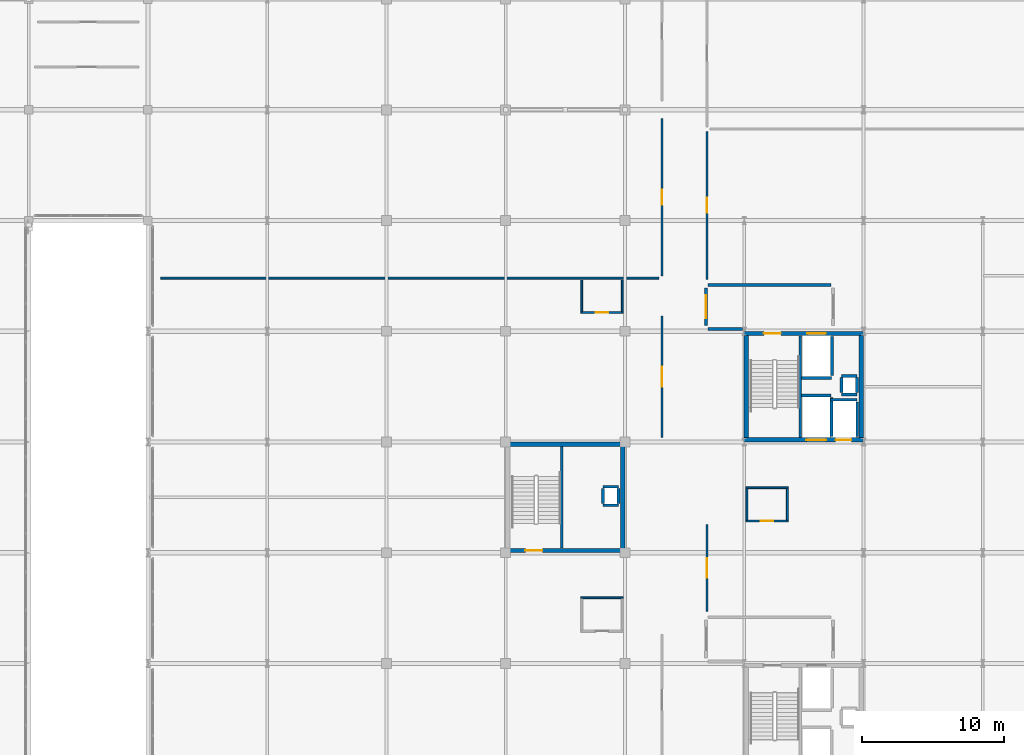
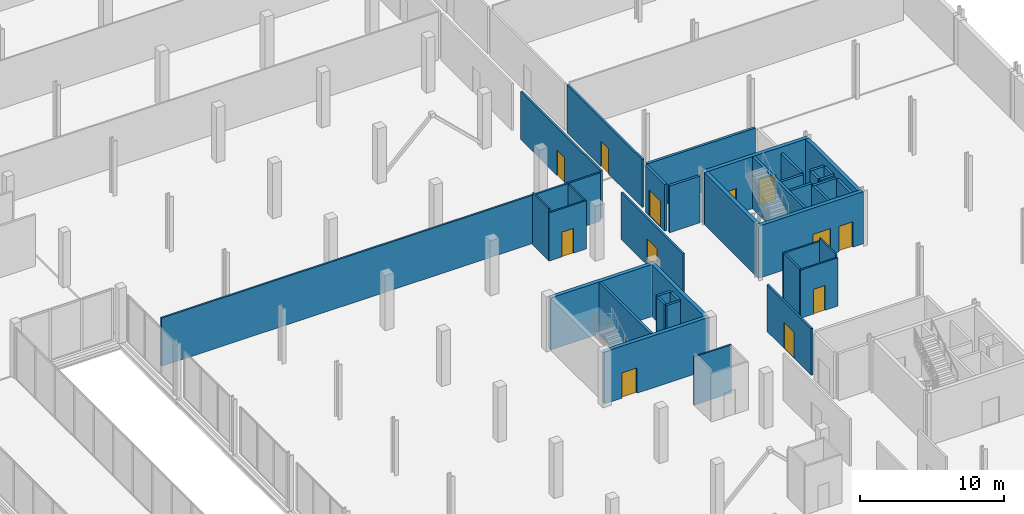
# One storey, part 75 of 98: 39 walls, 12 doors, 12 openings.
"""IFC4 building model written with IfcOpenShell, lengths in metres."""

from ifc_helpers import new_model, si_unit, direction, frame, frame_2d, origin, place, context, subcontext, project, spatial, rectangle, extrude, material, layer, layer_set, type_object, element, fill, save


model = new_model("IFC4")

# Units and contexts
model_context = context("Model", 3, precision=1e-05, world=origin(), true_north=direction((0.0, 1.0)))
body_context = subcontext(model_context, "Body", "Model", "MODEL_VIEW")
ifc_project = project(units=[si_unit("LENGTHUNIT", "METRE"), si_unit("AREAUNIT", "SQUARE_METRE"), si_unit("VOLUMEUNIT", "CUBIC_METRE"), si_unit("PLANEANGLEUNIT", "RADIAN"), si_unit("MASSUNIT", "GRAM", prefix="KILO")], contexts=[model_context])

# Site, building, storey
site_placement = place(None, origin())
site = spatial("IfcSite", under=ifc_project, at=site_placement, CompositionType="ELEMENT")
building_placement = place(site_placement, origin())
building = spatial("IfcBuilding", under=site, at=building_placement, Name="Nabrawat Pavilion Hospital", CompositionType="ELEMENT")
storey_placement = place(building_placement, frame((0.0, 0.0, 10.199951171875)))
storey = spatial("IfcBuildingStorey", under=building, at=storey_placement, Name="L02", CompositionType="ELEMENT", Elevation=10.199951171875)

# Wall, opening, door
ifc_material_1 = material(Name="Gypsum Fireboard on Steel Stud", Category="steel")
ifc_layer_1 = layer(ifc_material_1, 0.14990234375, Name="Gypsum Fireboard on Steel Stud")
ifc_layer_set_1 = layer_set([ifc_layer_1], Name="Gypsum Fireboard on Steel Stud")
wall_type_1 = type_object("IfcWallType", Name="Clinical Corridor Smoke-Barrier Wall 150", PredefinedType="PARTITIONING", material=ifc_layer_set_1)
wall_1_placement = place(storey_placement, frame((162.2099609375, 70.52001953125, 0.0), z_axis=(0.0, 0.0, 1.0), x_axis=(0.0, 1.0, 0.0)))
wall_1 = element("IfcWall", 1, at=wall_1_placement, inside=storey, type_object=wall_type_1, Name="L02 Inpatient Ward Barrier Isolation Bedroom L02-03 Front Partition", PredefinedType="PARTITIONING", context=body_context, shape_type="SweptSolid", body=[
    extrude(rectangle(XDim=8.56005859375, YDim=0.14990234375, at=frame_2d((4.280029296875, 0.0))), origin(), (0.0, 0.0, 1.0), 3.949951171875),
])
opening_1_placement = place(wall_1_placement, frame((3.580078125, 0.0, 0.0)))
opening_1 = element("IfcOpeningElement", 2, at=opening_1_placement, cuts=wall_1, Name="Opening D-BED", PredefinedType="OPENING", context=body_context, shape_type="SweptSolid", body=[
    extrude(rectangle(XDim=1.39990234375, YDim=2.199951171875, at=frame_2d((0.699951171875, 1.10009765625))), frame((0.0, 0.0849609375, 0.0), z_axis=(0.0, -1.0, 0.0), x_axis=(1.0, 0.0, 0.0)), (0.0, 0.0, 1.0), 0.169921875),
])
ifc_material_2 = material(Name="Stainless-Clad Acoustic Timber and Vision Glass", Category="wood")
door_type_1 = type_object("IfcDoorType", Name="D-BED Inpatient Ward Leaf-and-a-Half Door 1400x2200", OperationType="NOTDEFINED", PredefinedType="DOOR", material=ifc_material_2)
door_1_placement = place(opening_1_placement, origin())
door_1 = element("IfcDoor", 3, at=door_1_placement, inside=storey, type_object=door_type_1, Name="Inpatient Ward Barrier Isolation Bedroom L02-03 Door", OperationType="SINGLE_SWING_RIGHT", OverallHeight=2.199951171875, OverallWidth=1.39990234375, PredefinedType="DOOR", context=body_context, shape_type="SweptSolid", body=[
    extrude(rectangle(XDim=1.39990234375, YDim=2.199951171875, at=frame_2d((0.699951171875, 1.10009765625))), frame((0.0, 0.02490234375, 0.0), z_axis=(0.0, -1.0, 0.0), x_axis=(1.0, 0.0, 0.0)), (0.0, 0.0, 1.0), 0.050048828125),
])
fill(opening_1, door_1)

wall_2_placement = place(storey_placement, frame((162.2099609375, 81.909912109375, 0.0), z_axis=(0.0, 0.0, 1.0), x_axis=(0.0, 1.0, 0.0)))
wall_2 = element("IfcWall", 4, at=wall_2_placement, inside=storey, type_object=wall_type_1, Name="L02 Surgical Ward Nurse Station L02-04 Front Partition", PredefinedType="PARTITIONING", context=body_context, shape_type="SweptSolid", body=[
    extrude(rectangle(XDim=11.070068359375, YDim=0.14990234375, at=frame_2d((5.53515625, 0.0))), origin(), (0.0, 0.0, 1.0), 4.050048828125),
])
opening_2_placement = place(wall_2_placement, frame((5.010009765625, 0.0, 0.0)))
opening_2 = element("IfcOpeningElement", 5, at=opening_2_placement, cuts=wall_2, Name="Opening D-OPC-L", PredefinedType="OPENING", context=body_context, shape_type="SweptSolid", body=[
    extrude(rectangle(XDim=1.050048828125, YDim=2.14990234375, at=frame_2d((0.52490234375, 1.074951171875))), frame((0.0, 0.0849609375, 0.0), z_axis=(0.0, -1.0, 0.0), x_axis=(1.0, 0.0, 0.0)), (0.0, 0.0, 1.0), 0.169921875),
])
door_type_2 = type_object("IfcDoorType", Name="Outpatient Clinic Consultation Door L 1050x2150", OperationType="NOTDEFINED", PredefinedType="DOOR", material=ifc_material_2)
door_2_placement = place(opening_2_placement, origin())
door_2 = element("IfcDoor", 6, at=door_2_placement, inside=storey, type_object=door_type_2, Name="Surgical Ward Nurse Station L02-04 Door", OperationType="SINGLE_SWING_RIGHT", OverallHeight=2.14990234375, OverallWidth=1.050048828125, PredefinedType="DOOR", context=body_context, shape_type="SweptSolid", body=[
    extrude(rectangle(XDim=1.050048828125, YDim=2.14990234375, at=frame_2d((0.52490234375, 1.074951171875))), frame((0.0, 0.02490234375, 0.0), z_axis=(0.0, -1.0, 0.0), x_axis=(1.0, 0.0, 0.0)), (0.0, 0.0, 1.0), 0.050048828125),
])
fill(opening_2, door_2)

wall_3_placement = place(storey_placement, frame((165.389892578125, 58.25, 0.0), z_axis=(0.0, 0.0, 1.0), x_axis=(0.0, 1.0, 0.0)))
wall_3 = element("IfcWall", 7, at=wall_3_placement, inside=storey, type_object=wall_type_1, Name="L02 Inpatient Ward Barrier Isolation Bedroom L02-09 Front Partition", PredefinedType="PARTITIONING", context=body_context, shape_type="SweptSolid", body=[
    extrude(rectangle(XDim=6.139892578125, YDim=0.14990234375, at=frame_2d((3.06982421875, 0.0))), origin(), (0.0, 0.0, 1.0), 3.949951171875),
])
opening_3_placement = place(wall_3_placement, frame((2.3701171875, 0.0, 0.0)))
opening_3 = element("IfcOpeningElement", 8, at=opening_3_placement, cuts=wall_3, Name="Opening D-BED", PredefinedType="OPENING", context=body_context, shape_type="SweptSolid", body=[
    extrude(rectangle(XDim=1.39990234375, YDim=2.199951171875, at=frame_2d((0.699951171875, 1.10009765625))), frame((0.0, 0.0849609375, 0.0), z_axis=(0.0, -1.0, 0.0), x_axis=(1.0, 0.0, 0.0)), (0.0, 0.0, 1.0), 0.169921875),
])
door_3_placement = place(opening_3_placement, origin())
door_3 = element("IfcDoor", 9, at=door_3_placement, inside=storey, type_object=door_type_1, Name="Inpatient Ward Barrier Isolation Bedroom L02-09 Door", OperationType="SINGLE_SWING_RIGHT", OverallHeight=2.199951171875, OverallWidth=1.39990234375, PredefinedType="DOOR", context=body_context, shape_type="SweptSolid", body=[
    extrude(rectangle(XDim=1.39990234375, YDim=2.199951171875, at=frame_2d((0.699951171875, 1.10009765625))), frame((0.0, 0.02490234375, 0.0), z_axis=(0.0, -1.0, 0.0), x_axis=(1.0, 0.0, 0.0)), (0.0, 0.0, 1.0), 0.050048828125),
])
fill(opening_3, door_3)

wall_4_placement = place(storey_placement, frame((165.389892578125, 81.64990234375, 0.0), z_axis=(0.0, 0.0, 1.0), x_axis=(0.0, 1.0, 0.0)))
wall_4 = element("IfcWall", 10, at=wall_4_placement, inside=storey, type_object=wall_type_1, Name="L02 Surgical Ward Nurse Station L02-10 Front Partition", PredefinedType="PARTITIONING", context=body_context, shape_type="SweptSolid", body=[
    extrude(rectangle(XDim=10.4326171875, YDim=0.14990234375, at=frame_2d((5.21630859375, 0.0))), origin(), (0.0, 0.0, 1.0), 4.050048828125),
])
opening_4_placement = place(wall_4_placement, frame((4.69140625, 0.0, 0.0)))
opening_4 = element("IfcOpeningElement", 11, at=opening_4_placement, cuts=wall_4, Name="Opening D-OPC-L", PredefinedType="OPENING", context=body_context, shape_type="SweptSolid", body=[
    extrude(rectangle(XDim=1.050048828125, YDim=2.14990234375, at=frame_2d((0.52490234375, 1.074951171875))), frame((0.0, 0.0849609375, 0.0), z_axis=(0.0, -1.0, 0.0), x_axis=(1.0, 0.0, 0.0)), (0.0, 0.0, 1.0), 0.169921875),
])
door_4_placement = place(opening_4_placement, origin())
door_4 = element("IfcDoor", 12, at=door_4_placement, inside=storey, type_object=door_type_2, Name="Surgical Ward Nurse Station L02-10 Door", OperationType="SINGLE_SWING_RIGHT", OverallHeight=2.14990234375, OverallWidth=1.050048828125, PredefinedType="DOOR", context=body_context, shape_type="SweptSolid", body=[
    extrude(rectangle(XDim=1.050048828125, YDim=2.14990234375, at=frame_2d((0.52490234375, 1.074951171875))), frame((0.0, 0.02490234375, 0.0), z_axis=(0.0, -1.0, 0.0), x_axis=(1.0, 0.0, 0.0)), (0.0, 0.0, 1.0), 0.050048828125),
])
fill(opening_4, door_4)

# Wall
ifc_material_3 = material(Name="Cement Board on Steel Stud", Category="steel")
ifc_layer_2 = layer(ifc_material_3, 0.1298828125, Name="Cement Board on Steel Stud")
ifc_layer_set_2 = layer_set([ifc_layer_2], Name="Cement Board on Steel Stud")
wall_type_2 = type_object("IfcWallType", Name="En-Suite Moisture-Resistant Partition 130", PredefinedType="PARTITIONING", material=ifc_layer_set_2)
wall_5_placement = place(storey_placement, frame((156.4951171875, 59.22998046875, 0.0), z_axis=(0.0, 0.0, 1.0), x_axis=(1.0, 0.0, 0.0)))
element("IfcWall", 13, at=wall_5_placement, inside=storey, type_object=wall_type_2, Name="L02 En-Suite Bathroom WRD-SR2-02 North Partition", PredefinedType="PARTITIONING", context=body_context, shape_type="SweptSolid", body=[
    extrude(rectangle(XDim=2.97998046875, YDim=0.1298828125, at=frame_2d((1.489990234375, 0.0))), origin(), (0.0, 0.0, 1.0), 4.080078125),
])

# Wall, opening, door
wall_6_placement = place(storey_placement, frame((156.4951171875, 79.320068359375, 0.0), z_axis=(0.0, 0.0, 1.0), x_axis=(1.0, 0.0, 0.0)))
wall_6 = element("IfcWall", 14, at=wall_6_placement, inside=storey, type_object=wall_type_2, Name="L02 En-Suite Bathroom WRD-ISO-03 Front Partition", PredefinedType="PARTITIONING", context=body_context, shape_type="SweptSolid", body=[
    extrude(rectangle(XDim=2.97998046875, YDim=0.1298828125, at=frame_2d((1.489990234375, 0.0))), origin(), (0.0, 0.0, 1.0), 4.080078125),
])
opening_5_placement = place(wall_6_placement, frame((1.0400390625, 0.0, 0.0)))
opening_5 = element("IfcOpeningElement", 15, at=opening_5_placement, cuts=wall_6, Name="Opening D-ENS-R", PredefinedType="OPENING", context=body_context, shape_type="SweptSolid", body=[
    extrude(rectangle(XDim=0.89990234375, YDim=2.10009765625, at=frame_2d((0.449951171875, 1.050048828125))), frame((0.0, 0.074951171875, 0.0), z_axis=(0.0, -1.0, 0.0), x_axis=(1.0, 0.0, 0.0)), (0.0, 0.0, 1.0), 0.14990234375),
])
door_type_3 = type_object("IfcDoorType", Name="En-Suite Bathroom Outward Door R 900x2100", OperationType="NOTDEFINED", PredefinedType="DOOR", material=ifc_material_2)
door_5_placement = place(opening_5_placement, origin())
door_5 = element("IfcDoor", 16, at=door_5_placement, inside=storey, type_object=door_type_3, Name="En-Suite Bathroom WRD-ISO-03 Door", OperationType="SINGLE_SWING_LEFT", OverallHeight=2.10009765625, OverallWidth=0.89990234375, PredefinedType="DOOR", context=body_context, shape_type="SweptSolid", body=[
    extrude(rectangle(XDim=0.89990234375, YDim=2.10009765625, at=frame_2d((0.449951171875, 1.050048828125))), frame((0.0, 0.02490234375, 0.0), z_axis=(0.0, -1.0, 0.0), x_axis=(1.0, 0.0, 0.0)), (0.0, 0.0, 1.0), 0.050048828125),
])
fill(opening_5, door_5)

# Walls
wall_7_placement = place(storey_placement, frame((156.56005859375, 79.385009765625, 0.0), z_axis=(0.0, 0.0, 1.0), x_axis=(0.0, 1.0, 0.0)))
element("IfcWall", 17, at=wall_7_placement, inside=storey, type_object=wall_type_2, Name="L02 En-Suite Bathroom WRD-ISO-03 West Partition", PredefinedType="PARTITIONING", context=body_context, shape_type="SweptSolid", body=[
    extrude(rectangle(XDim=2.219970703125, YDim=0.1298828125, at=frame_2d((1.10986328125, 0.0))), origin(), (0.0, 0.0, 1.0), 4.3701171875),
])
wall_8_placement = place(storey_placement, frame((159.409912109375, 79.385009765625, 0.0), z_axis=(0.0, 0.0, 1.0), x_axis=(0.0, 1.0, 0.0)))
element("IfcWall", 18, at=wall_8_placement, inside=storey, type_object=wall_type_2, Name="L02 En-Suite Bathroom WRD-ISO-03 East Partition", PredefinedType="PARTITIONING", context=body_context, shape_type="SweptSolid", body=[
    extrude(rectangle(XDim=2.219970703125, YDim=0.1298828125, at=frame_2d((1.10986328125, 0.0))), origin(), (0.0, 0.0, 1.0), 4.080078125),
])

# Wall, opening, door
wall_9_placement = place(storey_placement, frame((168.125, 64.6298828125, 0.0), z_axis=(0.0, 0.0, 1.0), x_axis=(1.0, 0.0, 0.0)))
wall_9 = element("IfcWall", 19, at=wall_9_placement, inside=storey, type_object=wall_type_2, Name="L02 En-Suite Bathroom WRD-ISO-09 Front Partition", PredefinedType="PARTITIONING", context=body_context, shape_type="SweptSolid", body=[
    extrude(rectangle(XDim=2.97998046875, YDim=0.1298828125, at=frame_2d((1.489990234375, 0.0))), origin(), (0.0, 0.0, 1.0), 4.080078125),
])
opening_6_placement = place(wall_9_placement, frame((1.0400390625, 0.0, 0.0)))
opening_6 = element("IfcOpeningElement", 20, at=opening_6_placement, cuts=wall_9, Name="Opening D-ENS-R", PredefinedType="OPENING", context=body_context, shape_type="SweptSolid", body=[
    extrude(rectangle(XDim=0.89990234375, YDim=2.10009765625, at=frame_2d((0.449951171875, 1.050048828125))), frame((0.0, 0.074951171875, 0.0), z_axis=(0.0, -1.0, 0.0), x_axis=(1.0, 0.0, 0.0)), (0.0, 0.0, 1.0), 0.14990234375),
])
door_6_placement = place(opening_6_placement, origin())
door_6 = element("IfcDoor", 21, at=door_6_placement, inside=storey, type_object=door_type_3, Name="En-Suite Bathroom WRD-ISO-09 Door", OperationType="SINGLE_SWING_LEFT", OverallHeight=2.10009765625, OverallWidth=0.89990234375, PredefinedType="DOOR", context=body_context, shape_type="SweptSolid", body=[
    extrude(rectangle(XDim=0.89990234375, YDim=2.10009765625, at=frame_2d((0.449951171875, 1.050048828125))), frame((0.0, 0.02490234375, 0.0), z_axis=(0.0, -1.0, 0.0), x_axis=(1.0, 0.0, 0.0)), (0.0, 0.0, 1.0), 0.050048828125),
])
fill(opening_6, door_6)

# Walls
wall_10_placement = place(storey_placement, frame((168.125, 66.97998046875, 0.0), z_axis=(0.0, 0.0, 1.0), x_axis=(1.0, 0.0, 0.0)))
element("IfcWall", 22, at=wall_10_placement, inside=storey, type_object=wall_type_2, Name="L02 En-Suite Bathroom WRD-ISO-09 North Partition", PredefinedType="PARTITIONING", context=body_context, shape_type="SweptSolid", body=[
    extrude(rectangle(XDim=2.97998046875, YDim=0.1298828125, at=frame_2d((1.489990234375, 0.0))), origin(), (0.0, 0.0, 1.0), 4.080078125),
])
wall_11_placement = place(storey_placement, frame((168.18994140625, 64.695068359375, 0.0), z_axis=(0.0, 0.0, 1.0), x_axis=(0.0, 1.0, 0.0)))
element("IfcWall", 23, at=wall_11_placement, inside=storey, type_object=wall_type_2, Name="L02 En-Suite Bathroom WRD-ISO-09 West Partition", PredefinedType="PARTITIONING", context=body_context, shape_type="SweptSolid", body=[
    extrude(rectangle(XDim=2.219970703125, YDim=0.1298828125, at=frame_2d((1.10986328125, 0.0))), origin(), (0.0, 0.0, 1.0), 4.080078125),
])
wall_12_placement = place(storey_placement, frame((171.0400390625, 64.695068359375, 0.0), z_axis=(0.0, 0.0, 1.0), x_axis=(0.0, 1.0, 0.0)))
element("IfcWall", 24, at=wall_12_placement, inside=storey, type_object=wall_type_2, Name="L02 En-Suite Bathroom WRD-ISO-09 East Partition", PredefinedType="PARTITIONING", context=body_context, shape_type="SweptSolid", body=[
    extrude(rectangle(XDim=2.219970703125, YDim=0.1298828125, at=frame_2d((1.10986328125, 0.0))), origin(), (0.0, 0.0, 1.0), 4.3701171875),
])
ifc_material_4 = material(Name="Concrete C35/45", Category="concrete")
ifc_layer_3 = layer(ifc_material_4, 0.199951171875, Name="Concrete C35/45")
ifc_layer_set_3 = layer_set([ifc_layer_3], Name="Concrete C35/45")
wall_type_3 = type_object("IfcWallType", Name="Firefighting Lobby Compartment Wall 200", PredefinedType="PARTITIONING", material=ifc_layer_set_3)
wall_13_placement = place(storey_placement, frame((165.43994140625, 78.14990234375, 0.0), z_axis=(0.0, 0.0, 1.0), x_axis=(1.0, 0.0, 0.0)))
element("IfcWall", 25, at=wall_13_placement, inside=storey, type_object=wall_type_3, Name="L02 CORE-6 Firefighting Lobby South Return Wall", PredefinedType="PARTITIONING", context=body_context, shape_type="SweptSolid", body=[
    extrude(rectangle(XDim=2.43994140625, YDim=0.199951171875, at=frame_2d((1.219970703125, 0.0))), origin(), (0.0, 0.0, 1.0), 3.949951171875),
])
wall_14_placement = place(storey_placement, frame((165.43994140625, 81.25, 0.0), z_axis=(0.0, 0.0, 1.0), x_axis=(1.0, 0.0, 0.0)))
element("IfcWall", 26, at=wall_14_placement, inside=storey, type_object=wall_type_3, Name="L02 CORE-6 Firefighting Lobby North Compartment Wall", PredefinedType="PARTITIONING", context=body_context, shape_type="SweptSolid", body=[
    extrude(rectangle(XDim=8.66015625, YDim=0.199951171875, at=frame_2d((4.330078125, 0.0))), origin(), (0.0, 0.0, 1.0), 3.949951171875),
])

# Wall, opening, door
wall_15_placement = place(storey_placement, frame((165.320068359375, 78.39990234375, 0.0), z_axis=(0.0, 0.0, 1.0), x_axis=(0.0, 1.0, 0.0)))
wall_15 = element("IfcWall", 27, at=wall_15_placement, inside=storey, type_object=wall_type_3, Name="L02 CORE-6 Firefighting Lobby West Compartment Wall", PredefinedType="PARTITIONING", context=body_context, shape_type="SweptSolid", body=[
    extrude(rectangle(XDim=2.650146484375, YDim=0.199951171875, at=frame_2d((1.3251953125, 0.0))), origin(), (0.0, 0.0, 1.0), 3.949951171875),
])
opening_7_placement = place(wall_15_placement, frame((0.52490234375, 0.0, 0.0)))
opening_7 = element("IfcOpeningElement", 28, at=opening_7_placement, cuts=wall_15, Name="Opening D-FFL", PredefinedType="OPENING", context=body_context, shape_type="SweptSolid", body=[
    extrude(rectangle(XDim=1.60009765625, YDim=2.199951171875, at=frame_2d((0.800048828125, 1.10009765625))), frame((0.0, 0.10986328125, 0.0), z_axis=(0.0, -1.0, 0.0), x_axis=(1.0, 0.0, 0.0)), (0.0, 0.0, 1.0), 0.219970703125),
])
door_type_4 = type_object("IfcDoorType", Name="D-FFL Firefighting Lobby Double Smoke Door 1600x2200", OperationType="NOTDEFINED", PredefinedType="DOOR", material=ifc_material_2)
door_7_placement = place(opening_7_placement, origin())
door_7 = element("IfcDoor", 29, at=door_7_placement, inside=storey, type_object=door_type_4, Name="L02 CORE-6 Firefighting Lobby West Smoke Door", OperationType="DOUBLE_DOOR_SINGLE_SWING", OverallHeight=2.199951171875, OverallWidth=1.60009765625, PredefinedType="DOOR", context=body_context, shape_type="SweptSolid", body=[
    extrude(rectangle(XDim=1.60009765625, YDim=2.199951171875, at=frame_2d((0.800048828125, 1.10009765625))), frame((0.0, 0.02490234375, 0.0), z_axis=(0.0, -1.0, 0.0), x_axis=(1.0, 0.0, 0.0)), (0.0, 0.0, 1.0), 0.050048828125),
])
fill(opening_7, door_7)

# Walls
ifc_material_5 = material(Name="Acoustic Gypsum on Steel Stud", Category="steel")
ifc_layer_4 = layer(ifc_material_5, 0.139892578125, Name="Acoustic Gypsum on Steel Stud")
ifc_layer_set_4 = layer_set([ifc_layer_4], Name="Acoustic Gypsum on Steel Stud")
wall_type_4 = type_object("IfcWallType", Name="Inpatient Ward Acoustic Partition 140", PredefinedType="PARTITIONING", material=ifc_layer_set_4)
wall_16_placement = place(storey_placement, frame((126.889892578125, 81.75, 0.0), z_axis=(0.0, 0.0, 1.0), x_axis=(1.0, 0.0, 0.0)))
element("IfcWall", 30, at=wall_16_placement, inside=storey, type_object=wall_type_4, Name="L02 Inpatient Ward Barrier Isolation Bedroom L02-03 Dividing Partition", PredefinedType="PARTITIONING", context=body_context, shape_type="SweptSolid", body=[
    extrude(rectangle(XDim=35.10009765625, YDim=0.139892578125, at=frame_2d((17.550048828125, 0.0))), origin(), (0.0, 0.0, 1.0), 4.080078125),
])
ifc_layer_5 = layer(ifc_material_4, 0.199951171875, Name="Concrete C35/45")
ifc_layer_set_5 = layer_set([ifc_layer_5], Name="Concrete C35/45")
wall_type_5 = type_object("IfcWallType", Name="Lift and Riser Fire Shaft Wall 200", PredefinedType="PARTITIONING", material=ifc_layer_set_5)
wall_17_placement = place(storey_placement, frame((171.949951171875, 70.52001953125, 0.0), z_axis=(0.0, 0.0, 1.0), x_axis=(0.0, 1.0, 0.0)))
element("IfcWall", 31, at=wall_17_placement, inside=storey, type_object=wall_type_5, Name="L02 CORE-6 Stair-Lift Dividing Shear Wall", PredefinedType="SHEAR", context=body_context, shape_type="SweptSolid", body=[
    extrude(rectangle(XDim=7.159912109375, YDim=0.199951171875, at=frame_2d((3.580078125, 0.0))), origin(), (0.0, 0.0, 1.0), 4.41015625),
])
for number, where, z_axis, x_axis, name in (
    (32, (174.85009765625, 73.550048828125, 0.0), (0.0, 0.0, 1.0), (1.0, 0.0, 0.0), "L02 CORE-6 MEP Riser Shaft Wall S"),
    (33, (174.85009765625, 74.85009765625, 0.0), (0.0, 0.0, 1.0), (1.0, 0.0, 0.0), "L02 CORE-6 MEP Riser Shaft Wall N"),
):
    element("IfcWall", number, at=place(storey_placement, frame(where, z_axis=z_axis, x_axis=x_axis)), inside=storey, type_object=wall_type_5, Name=name, PredefinedType="PARTITIONING", context=body_context, shape_type="SweptSolid", body=[
        extrude(rectangle(XDim=1.099853515625, YDim=0.199951171875, at=frame_2d((0.5498046875, 0.0))), origin(), (0.0, 0.0, 1.0), 3.949951171875),
    ])
for number, where, z_axis, x_axis, name in (
    (34, (174.85009765625, 73.669921875, 0.0), (0.0, 0.0, 1.0), (0.0, 1.0, 0.0), "L02 CORE-6 MEP Riser Shaft Wall W"),
    (35, (175.949951171875, 73.669921875, 0.0), (0.0, 0.0, 1.0), (0.0, 1.0, 0.0), "L02 CORE-6 MEP Riser Shaft Wall E"),
):
    element("IfcWall", number, at=place(storey_placement, frame(where, z_axis=z_axis, x_axis=x_axis)), inside=storey, type_object=wall_type_5, Name=name, PredefinedType="PARTITIONING", context=body_context, shape_type="SweptSolid", body=[
        extrude(rectangle(XDim=1.06005859375, YDim=0.199951171875, at=frame_2d((0.530029296875, 0.0))), origin(), (0.0, 0.0, 1.0), 3.949951171875),
    ])
wall_18_placement = place(storey_placement, frame((174.179931640625, 74.8798828125, 0.0), z_axis=(0.0, 0.0, 1.0), x_axis=(0.0, 1.0, 0.0)))
element("IfcWall", 36, at=wall_18_placement, inside=storey, type_object=wall_type_5, Name="L02 Lift LF-02 Shaft East Wall", PredefinedType="PARTITIONING", context=body_context, shape_type="SweptSolid", body=[
    extrude(rectangle(XDim=2.740234375, YDim=0.199951171875, at=frame_2d((1.3701171875, 0.0))), origin(), (0.0, 0.0, 1.0), 3.949951171875),
])
wall_19_placement = place(storey_placement, frame((172.050048828125, 74.719970703125, 0.0), z_axis=(0.0, 0.0, 1.0), x_axis=(1.0, 0.0, 0.0)))
element("IfcWall", 37, at=wall_19_placement, inside=storey, type_object=wall_type_5, Name="L02 Lift LF-02 Shaft Back Wall", PredefinedType="PARTITIONING", context=body_context, shape_type="SweptSolid", body=[
    extrude(rectangle(XDim=2.099853515625, YDim=0.199951171875, at=frame_2d((1.0498046875, 0.0))), origin(), (0.0, 0.0, 1.0), 3.949951171875),
])
wall_20_placement = place(storey_placement, frame((174.139892578125, 70.580078125, 0.0), z_axis=(0.0, 0.0, 1.0), x_axis=(0.0, 1.0, 0.0)))
element("IfcWall", 38, at=wall_20_placement, inside=storey, type_object=wall_type_5, Name="L02 Lift LB-04 Shaft East Wall", PredefinedType="PARTITIONING", context=body_context, shape_type="SweptSolid", body=[
    extrude(rectangle(XDim=2.739990234375, YDim=0.199951171875, at=frame_2d((1.3701171875, 0.0))), origin(), (0.0, 0.0, 1.0), 3.949951171875),
])
wall_21_placement = place(storey_placement, frame((172.050048828125, 73.47998046875, 0.0), z_axis=(0.0, 0.0, 1.0), x_axis=(1.0, 0.0, 0.0)))
element("IfcWall", 39, at=wall_21_placement, inside=storey, type_object=wall_type_5, Name="L02 Lift LB-04 Shaft Back Wall", PredefinedType="PARTITIONING", context=body_context, shape_type="SweptSolid", body=[
    extrude(rectangle(XDim=2.06005859375, YDim=0.199951171875, at=frame_2d((1.030029296875, 0.0))), origin(), (0.0, 0.0, 1.0), 3.949951171875),
])
wall_22_placement = place(storey_placement, frame((175.9599609375, 70.580078125, 0.0), z_axis=(0.0, 0.0, 1.0), x_axis=(0.0, 1.0, 0.0)))
element("IfcWall", 40, at=wall_22_placement, inside=storey, type_object=wall_type_5, Name="L02 Lift LS-02 Shaft East Wall", PredefinedType="PARTITIONING", context=body_context, shape_type="SweptSolid", body=[
    extrude(rectangle(XDim=2.43994140625, YDim=0.199951171875, at=frame_2d((1.219970703125, 0.0))), origin(), (0.0, 0.0, 1.0), 3.949951171875),
])
wall_23_placement = place(storey_placement, frame((174.070068359375, 73.179931640625, 0.0), z_axis=(0.0, 0.0, 1.0), x_axis=(1.0, 0.0, 0.0)))
element("IfcWall", 41, at=wall_23_placement, inside=storey, type_object=wall_type_5, Name="L02 Lift LS-02 Shaft Back Wall", PredefinedType="PARTITIONING", context=body_context, shape_type="SweptSolid", body=[
    extrude(rectangle(XDim=1.85986328125, YDim=0.199951171875, at=frame_2d((0.929931640625, 0.0))), origin(), (0.0, 0.0, 1.0), 3.949951171875),
])
wall_24_placement = place(storey_placement, frame((155.14990234375, 62.719970703125, 0.0), z_axis=(0.0, 0.0, 1.0), x_axis=(0.0, 1.0, 0.0)))
element("IfcWall", 42, at=wall_24_placement, inside=storey, type_object=wall_type_5, Name="L02 CORE-9 Stair-Lift Dividing Shear Wall", PredefinedType="SHEAR", context=body_context, shape_type="SweptSolid", body=[
    extrude(rectangle(XDim=7.159912109375, YDim=0.199951171875, at=frame_2d((3.580078125, 0.0))), origin(), (0.0, 0.0, 1.0), 4.41015625),
])
for number, where, z_axis, x_axis, name in (
    (43, (158.050048828125, 65.75, 0.0), (0.0, 0.0, 1.0), (1.0, 0.0, 0.0), "L02 CORE-9 MEP Riser Shaft Wall S"),
    (44, (158.050048828125, 67.050048828125, 0.0), (0.0, 0.0, 1.0), (1.0, 0.0, 0.0), "L02 CORE-9 MEP Riser Shaft Wall N"),
):
    element("IfcWall", number, at=place(storey_placement, frame(where, z_axis=z_axis, x_axis=x_axis)), inside=storey, type_object=wall_type_5, Name=name, PredefinedType="PARTITIONING", context=body_context, shape_type="SweptSolid", body=[
        extrude(rectangle(XDim=1.099853515625, YDim=0.199951171875, at=frame_2d((0.5498046875, 0.0))), origin(), (0.0, 0.0, 1.0), 3.949951171875),
    ])
for number, where, z_axis, x_axis, name in (
    (45, (158.050048828125, 65.8701171875, 0.0), (0.0, 0.0, 1.0), (0.0, 1.0, 0.0), "L02 CORE-9 MEP Riser Shaft Wall W"),
    (46, (159.14990234375, 65.8701171875, 0.0), (0.0, 0.0, 1.0), (0.0, 1.0, 0.0), "L02 CORE-9 MEP Riser Shaft Wall E"),
):
    element("IfcWall", number, at=place(storey_placement, frame(where, z_axis=z_axis, x_axis=x_axis)), inside=storey, type_object=wall_type_5, Name=name, PredefinedType="PARTITIONING", context=body_context, shape_type="SweptSolid", body=[
        extrude(rectangle(XDim=1.059814453125, YDim=0.199951171875, at=frame_2d((0.52978515625, 0.0))), origin(), (0.0, 0.0, 1.0), 3.949951171875),
    ])

# Wall, openings, doors
ifc_material_6 = material(Name="Concrete C40/50", Category="concrete")
ifc_layer_6 = layer(ifc_material_6, 0.300048828125, Name="Concrete C40/50")
ifc_layer_set_6 = layer_set([ifc_layer_6], Name="Concrete C40/50")
wall_type_6 = type_object("IfcWallType", Name="Reinforced Concrete Core Shear Wall 300", PredefinedType="SHEAR", material=ifc_layer_set_6)
wall_25_placement = place(storey_placement, frame((168.0, 70.35009765625, 0.0), z_axis=(0.0, 0.0, 1.0), x_axis=(1.0, 0.0, 0.0)))
wall_25 = element("IfcWall", 47, at=wall_25_placement, inside=storey, type_object=wall_type_6, Name="L02 CORE-6 South Core Shear Wall", PredefinedType="SHEAR", context=body_context, shape_type="SweptSolid", body=[
    extrude(rectangle(XDim=8.39990234375, YDim=0.300048828125, at=frame_2d((4.199951171875, 0.0))), origin(), (0.0, 0.0, 1.0), 4.41015625),
])
opening_8_placement = place(wall_25_placement, frame((4.3798828125, 0.0, 0.0)))
opening_8 = element("IfcOpeningElement", 48, at=opening_8_placement, cuts=wall_25, Name="Opening LD-LB-04", PredefinedType="OPENING", context=body_context, shape_type="SweptSolid", body=[
    extrude(rectangle(XDim=1.39990234375, YDim=2.199951171875, at=frame_2d((0.699951171875, 1.10009765625))), frame((0.0, 0.16015625, 0.0), z_axis=(0.0, -1.0, 0.0), x_axis=(1.0, 0.0, 0.0)), (0.0, 0.0, 1.0), 0.320068359375),
])
opening_9_placement = place(wall_25_placement, frame((6.449951171875, 0.0, 0.0)))
opening_9 = element("IfcOpeningElement", 49, at=opening_9_placement, cuts=wall_25, Name="Opening LD-LS-02", PredefinedType="OPENING", context=body_context, shape_type="SweptSolid", body=[
    extrude(rectangle(XDim=1.10009765625, YDim=2.14990234375, at=frame_2d((0.550048828125, 1.074951171875))), frame((0.0, 0.16015625, 0.0), z_axis=(0.0, -1.0, 0.0), x_axis=(1.0, 0.0, 0.0)), (0.0, 0.0, 1.0), 0.320068359375),
])
door_type_5 = type_object("IfcDoorType", Name="Hospital Bed Lift Sliding Landing Door 1400x2200", OperationType="DOUBLE_DOOR_SLIDING", PredefinedType="DOOR", material=ifc_material_2)
door_8_placement = place(opening_8_placement, origin())
door_8 = element("IfcDoor", 50, at=door_8_placement, inside=storey, type_object=door_type_5, Name="L02 Lift LB-04 Sliding Landing Door", OperationType="DOUBLE_DOOR_SLIDING", OverallHeight=2.199951171875, OverallWidth=1.39990234375, PredefinedType="DOOR", context=body_context, shape_type="SweptSolid", body=[
    extrude(rectangle(XDim=1.39990234375, YDim=2.199951171875, at=frame_2d((0.699951171875, 1.10009765625))), frame((0.0, 0.02490234375, 0.0), z_axis=(0.0, -1.0, 0.0), x_axis=(1.0, 0.0, 0.0)), (0.0, 0.0, 1.0), 0.050048828125),
])
fill(opening_8, door_8)
door_type_6 = type_object("IfcDoorType", Name="Passenger Lift Sliding Landing Door 1100x2150", OperationType="DOUBLE_DOOR_SLIDING", PredefinedType="DOOR", material=ifc_material_2)
door_9_placement = place(opening_9_placement, origin())
door_9 = element("IfcDoor", 51, at=door_9_placement, inside=storey, type_object=door_type_6, Name="L02 Lift LS-02 Sliding Landing Door", OperationType="DOUBLE_DOOR_SLIDING", OverallHeight=2.14990234375, OverallWidth=1.10009765625, PredefinedType="DOOR", context=body_context, shape_type="SweptSolid", body=[
    extrude(rectangle(XDim=1.10009765625, YDim=2.14990234375, at=frame_2d((0.550048828125, 1.074951171875))), frame((0.0, 0.02490234375, 0.0), z_axis=(0.0, -1.0, 0.0), x_axis=(1.0, 0.0, 0.0)), (0.0, 0.0, 1.0), 0.050048828125),
])
fill(opening_9, door_9)

wall_26_placement = place(storey_placement, frame((168.0, 77.85009765625, 0.0), z_axis=(0.0, 0.0, 1.0), x_axis=(1.0, 0.0, 0.0)))
wall_26 = element("IfcWall", 52, at=wall_26_placement, inside=storey, type_object=wall_type_6, Name="L02 CORE-6 North Core Shear Wall", PredefinedType="SHEAR", context=body_context, shape_type="SweptSolid", body=[
    extrude(rectangle(XDim=8.39990234375, YDim=0.300048828125, at=frame_2d((4.199951171875, 0.0))), origin(), (0.0, 0.0, 1.0), 4.41015625),
])
opening_10_placement = place(wall_26_placement, frame((1.3798828125, 0.0, 0.0)))
opening_10 = element("IfcOpeningElement", 53, at=opening_10_placement, cuts=wall_26, Name="Opening D-STAIR", PredefinedType="OPENING", context=body_context, shape_type="SweptSolid", body=[
    extrude(rectangle(XDim=1.199951171875, YDim=2.14990234375, at=frame_2d((0.60009765625, 1.074951171875))), frame((0.0, 0.16015625, 0.0), z_axis=(0.0, -1.0, 0.0), x_axis=(1.0, 0.0, 0.0)), (0.0, 0.0, 1.0), 0.320068359375),
])
opening_11_placement = place(wall_26_placement, frame((4.449951171875, 0.0, 0.0)))
opening_11 = element("IfcOpeningElement", 54, at=opening_11_placement, cuts=wall_26, Name="Opening LD-LF-02", PredefinedType="OPENING", context=body_context, shape_type="SweptSolid", body=[
    extrude(rectangle(XDim=1.300048828125, YDim=2.199951171875, at=frame_2d((0.64990234375, 1.10009765625))), frame((0.0, 0.16015625, 0.0), z_axis=(0.0, -1.0, 0.0), x_axis=(1.0, 0.0, 0.0)), (0.0, 0.0, 1.0), 0.320068359375),
])
door_type_7 = type_object("IfcDoorType", Name="D-STAIR Exit Stair Fire Door 1200x2150", OperationType="NOTDEFINED", PredefinedType="DOOR", material=ifc_material_2)
door_10_placement = place(opening_10_placement, origin())
door_10 = element("IfcDoor", 55, at=door_10_placement, inside=storey, type_object=door_type_7, Name="L02 ST-06 Fire Exit Stair Door", OperationType="SINGLE_SWING_RIGHT", OverallHeight=2.14990234375, OverallWidth=1.199951171875, PredefinedType="DOOR", context=body_context, shape_type="SweptSolid", body=[
    extrude(rectangle(XDim=1.199951171875, YDim=2.14990234375, at=frame_2d((0.60009765625, 1.074951171875))), frame((0.0, 0.02490234375, 0.0), z_axis=(0.0, -1.0, 0.0), x_axis=(1.0, 0.0, 0.0)), (0.0, 0.0, 1.0), 0.050048828125),
])
fill(opening_10, door_10)
door_type_8 = type_object("IfcDoorType", Name="Firefighting Lift Sliding Landing Door 1300x2200", OperationType="DOUBLE_DOOR_SLIDING", PredefinedType="DOOR", material=ifc_material_2)
door_11_placement = place(opening_11_placement, origin())
door_11 = element("IfcDoor", 56, at=door_11_placement, inside=storey, type_object=door_type_8, Name="L02 Lift LF-02 Sliding Landing Door", OperationType="DOUBLE_DOOR_SLIDING", OverallHeight=2.199951171875, OverallWidth=1.300048828125, PredefinedType="DOOR", context=body_context, shape_type="SweptSolid", body=[
    extrude(rectangle(XDim=1.300048828125, YDim=2.199951171875, at=frame_2d((0.64990234375, 1.10009765625))), frame((0.0, 0.02490234375, 0.0), z_axis=(0.0, -1.0, 0.0), x_axis=(1.0, 0.0, 0.0)), (0.0, 0.0, 1.0), 0.050048828125),
])
fill(opening_11, door_11)

# Walls
for number, where, z_axis, x_axis, name in (
    (57, (168.14990234375, 70.5, 0.0), (0.0, 0.0, 1.0), (0.0, 1.0, 0.0), "L02 CORE-6 West Core Shear Wall"),
    (58, (176.25, 70.5, 0.0), (0.0, 0.0, 1.0), (0.0, 1.0, 0.0), "L02 CORE-6 East Core Shear Wall"),
):
    element("IfcWall", number, at=place(storey_placement, frame(where, z_axis=z_axis, x_axis=x_axis)), inside=storey, type_object=wall_type_6, Name=name, PredefinedType="SHEAR", context=body_context, shape_type="SweptSolid", body=[
        extrude(rectangle(XDim=7.199951171875, YDim=0.300048828125, at=frame_2d((3.60009765625, 0.0))), origin(), (0.0, 0.0, 1.0), 4.41015625),
    ])

# Wall, opening, door
wall_27_placement = place(storey_placement, frame((151.199951171875, 62.550048828125, 0.0), z_axis=(0.0, 0.0, 1.0), x_axis=(1.0, 0.0, 0.0)))
wall_27 = element("IfcWall", 59, at=wall_27_placement, inside=storey, type_object=wall_type_6, Name="L02 CORE-9 South Core Shear Wall", PredefinedType="SHEAR", context=body_context, shape_type="SweptSolid", body=[
    extrude(rectangle(XDim=8.400146484375, YDim=0.300048828125, at=frame_2d((4.2001953125, 0.0))), origin(), (0.0, 0.0, 1.0), 4.41015625),
])
opening_12_placement = place(wall_27_placement, frame((1.3798828125, 0.0, 0.0)))
opening_12 = element("IfcOpeningElement", 60, at=opening_12_placement, cuts=wall_27, Name="Opening D-STAIR", PredefinedType="OPENING", context=body_context, shape_type="SweptSolid", body=[
    extrude(rectangle(XDim=1.199951171875, YDim=2.14990234375, at=frame_2d((0.60009765625, 1.074951171875))), frame((0.0, 0.16015625, 0.0), z_axis=(0.0, -1.0, 0.0), x_axis=(1.0, 0.0, 0.0)), (0.0, 0.0, 1.0), 0.320068359375),
])
door_12_placement = place(opening_12_placement, origin())
door_12 = element("IfcDoor", 61, at=door_12_placement, inside=storey, type_object=door_type_7, Name="L02 ST-09 Fire Exit Stair Door", OperationType="SINGLE_SWING_LEFT", OverallHeight=2.14990234375, OverallWidth=1.199951171875, PredefinedType="DOOR", context=body_context, shape_type="SweptSolid", body=[
    extrude(rectangle(XDim=1.199951171875, YDim=2.14990234375, at=frame_2d((0.60009765625, 1.074951171875))), frame((0.0, 0.02490234375, 0.0), z_axis=(0.0, -1.0, 0.0), x_axis=(1.0, 0.0, 0.0)), (0.0, 0.0, 1.0), 0.050048828125),
])
fill(opening_12, door_12)

# Walls
wall_28_placement = place(storey_placement, frame((151.199951171875, 70.050048828125, 0.0), z_axis=(0.0, 0.0, 1.0), x_axis=(1.0, 0.0, 0.0)))
element("IfcWall", 62, at=wall_28_placement, inside=storey, type_object=wall_type_6, Name="L02 CORE-9 North Core Shear Wall", PredefinedType="SHEAR", context=body_context, shape_type="SweptSolid", body=[
    extrude(rectangle(XDim=8.400146484375, YDim=0.300048828125, at=frame_2d((4.2001953125, 0.0))), origin(), (0.0, 0.0, 1.0), 4.41015625),
])
wall_29_placement = place(storey_placement, frame((159.449951171875, 62.699951171875, 0.0), z_axis=(0.0, 0.0, 1.0), x_axis=(0.0, 1.0, 0.0)))
element("IfcWall", 63, at=wall_29_placement, inside=storey, type_object=wall_type_6, Name="L02 CORE-9 East Core Shear Wall", PredefinedType="SHEAR", context=body_context, shape_type="SweptSolid", body=[
    extrude(rectangle(XDim=7.199951171875, YDim=0.300048828125, at=frame_2d((3.60009765625, 0.0))), origin(), (0.0, 0.0, 1.0), 4.41015625),
])

save(model, "model.ifc")
